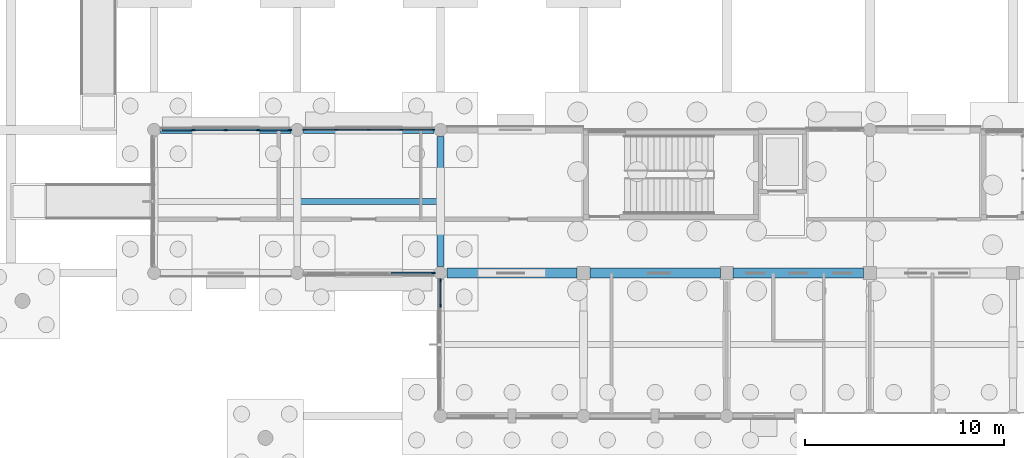
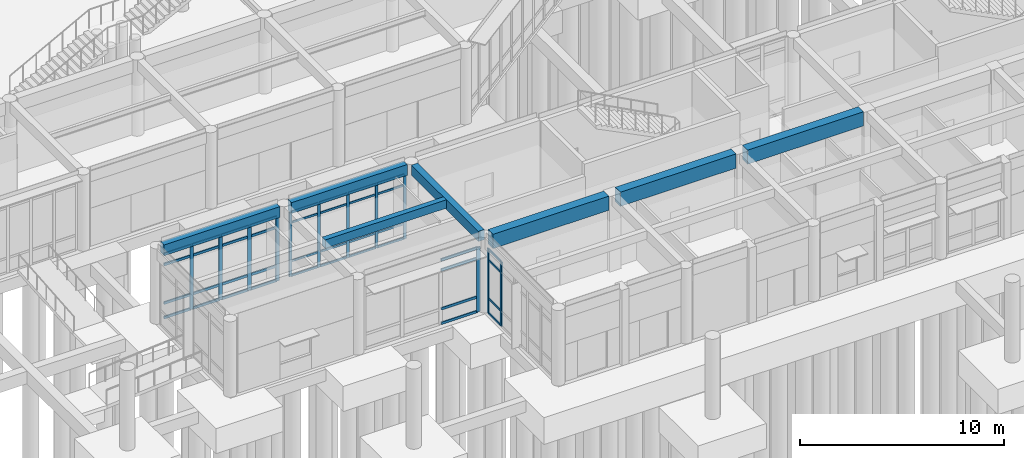
# One storey, part 13 of 103: 52 members, 7 beams, 4 elements without a shape of their own.
"""IFC4 building model written with IfcOpenShell, lengths in metres."""

from ifc_helpers import new_model, si_unit, direction, frame, origin, origin_2d, place, context, subcontext, project, spatial, rectangle, extrude, material, layer, layer_set, material_profile, profile_set, type_object, element, aggregate, save


model = new_model("IFC4")

# Units and contexts
model_context = context("Model", 3, precision=1e-05, world=origin(), true_north=direction((0.0, 1.0)))
body_context = subcontext(model_context, "Body", "Model", "MODEL_VIEW")
ifc_project = project(units=[si_unit("LENGTHUNIT", "METRE"), si_unit("AREAUNIT", "SQUARE_METRE"), si_unit("VOLUMEUNIT", "CUBIC_METRE"), si_unit("PLANEANGLEUNIT", "RADIAN"), si_unit("MASSUNIT", "GRAM", prefix="KILO")], contexts=[model_context])

# Site, building, storey
site_placement = place(None, origin())
site = spatial("IfcSite", under=ifc_project, at=site_placement, CompositionType="ELEMENT")
building_placement = place(site_placement, origin())
building = spatial("IfcBuilding", under=site, at=building_placement, Name="Namkhue Oval Health Centre", CompositionType="ELEMENT")
storey_placement = place(building_placement, origin())
storey = spatial("IfcBuildingStorey", under=building, at=storey_placement, Name="L00", CompositionType="ELEMENT", Elevation=0.0)

# Curtain wall, members
ifc_material_1 = material(Name="Anodised aluminium EN AW-6063 T6", Category="aluminium")
ifc_layer_1 = layer(ifc_material_1, 0.159912109375)
ifc_layer_set_1 = layer_set([ifc_layer_1], Name="Anodised aluminium EN AW-6063 T6")
curtain_wall_type_1 = type_object("IfcCurtainWallType", Name="UNITISED CURTAIN WALL M1500", PredefinedType="NOTDEFINED", material=ifc_layer_set_1)
curtain_wall_1_placement = place(storey_placement, origin())
curtain_wall_1 = element("IfcCurtainWall", 1, at=curtain_wall_1_placement, inside=storey, type_object=curtain_wall_type_1, Name="Volume V4 L00 Unitised Curtain Wall 141", PredefinedType="NOTDEFINED")
ifc_material_profile_1 = material_profile(ifc_material_1, rectangle(XDim=0.06494140625, YDim=0.159912109375, at=origin_2d()), Name="ALU 65x160")
ifc_profile_set_1 = profile_set([ifc_material_profile_1], Name="Anodised aluminium EN AW-6063 T6")
member_type_1 = type_object("IfcMemberType", Name="CURTAIN WALL MULLION 65X160", PredefinedType="MULLION", material=ifc_profile_set_1)
member_1_placement = place(storey_placement, frame((50.032470703125, 28.800048828125, 0.0), z_axis=(0.0, 0.0, 1.0), x_axis=(0.0, -1.0, 0.0)))
member_1 = element("IfcMember", 2, at=member_1_placement, type_object=member_type_1, Name="CW-03 mullion 1", PredefinedType="MULLION", context=body_context, shape_type="SweptSolid", body=[
    extrude(rectangle(XDim=0.06494140625, YDim=0.159912109375, at=origin_2d()), origin(), (0.0, 0.0, 1.0), 3.860107421875),
])
member_2_placement = place(storey_placement, frame((48.4326171875, 28.800048828125, 0.0), z_axis=(0.0, 0.0, 1.0), x_axis=(0.0, -1.0, 0.0)))
member_2 = element("IfcMember", 3, at=member_2_placement, type_object=member_type_1, Name="CW-03 mullion 2", PredefinedType="MULLION", context=body_context, shape_type="SweptSolid", body=[
    extrude(rectangle(XDim=0.06494140625, YDim=0.159912109375, at=origin_2d()), origin(), (0.0, 0.0, 1.0), 3.860107421875),
])
member_3_placement = place(storey_placement, frame((46.800048828125, 28.800048828125, 0.0), z_axis=(0.0, 0.0, 1.0), x_axis=(0.0, -1.0, 0.0)))
member_3 = element("IfcMember", 4, at=member_3_placement, type_object=member_type_1, Name="CW-03 mullion 3", PredefinedType="MULLION", context=body_context, shape_type="SweptSolid", body=[
    extrude(rectangle(XDim=0.06494140625, YDim=0.159912109375, at=origin_2d()), origin(), (0.0, 0.0, 1.0), 3.860107421875),
])
member_4_placement = place(storey_placement, frame((45.16748046875, 28.800048828125, 0.0), z_axis=(0.0, 0.0, 1.0), x_axis=(0.0, -1.0, 0.0)))
member_4 = element("IfcMember", 5, at=member_4_placement, type_object=member_type_1, Name="CW-03 mullion 4", PredefinedType="MULLION", context=body_context, shape_type="SweptSolid", body=[
    extrude(rectangle(XDim=0.06494140625, YDim=0.159912109375, at=origin_2d()), origin(), (0.0, 0.0, 1.0), 3.860107421875),
])
member_5_placement = place(storey_placement, frame((43.5673828125, 28.800048828125, 0.0), z_axis=(0.0, 0.0, 1.0), x_axis=(0.0, -1.0, 0.0)))
member_5 = element("IfcMember", 6, at=member_5_placement, type_object=member_type_1, Name="CW-03 mullion 5", PredefinedType="MULLION", context=body_context, shape_type="SweptSolid", body=[
    extrude(rectangle(XDim=0.06494140625, YDim=0.159912109375, at=origin_2d()), origin(), (0.0, 0.0, 1.0), 3.860107421875),
])

ifc_layer_2 = layer(ifc_material_1, 0.159912109375)
ifc_layer_set_2 = layer_set([ifc_layer_2], Name="Anodised aluminium EN AW-6063 T6")
curtain_wall_type_2 = type_object("IfcCurtainWallType", Name="UNITISED CURTAIN WALL M1200", PredefinedType="NOTDEFINED", material=ifc_layer_set_2)
curtain_wall_2_placement = place(storey_placement, origin())
curtain_wall_2 = element("IfcCurtainWall", 7, at=curtain_wall_2_placement, inside=storey, type_object=curtain_wall_type_2, Name="Volume V4 L00 Unitised Curtain Wall 145", PredefinedType="NOTDEFINED")
member_6_placement = place(storey_placement, frame((50.39990234375, 21.232421875, 0.0), z_axis=(0.0, 0.0, 1.0), x_axis=(1.0, 0.0, 0.0)))
member_6 = element("IfcMember", 8, at=member_6_placement, type_object=member_type_1, Name="CW-01 mullion 1", PredefinedType="MULLION", context=body_context, shape_type="SweptSolid", body=[
    extrude(rectangle(XDim=0.06494140625, YDim=0.159912109375, at=origin_2d()), origin(), (0.0, 0.0, 1.0), 3.860107421875),
])
member_7_placement = place(storey_placement, frame((50.39990234375, 19.958984375, 0.0), z_axis=(0.0, 0.0, 1.0), x_axis=(1.0, 0.0, 0.0)))
member_7 = element("IfcMember", 9, at=member_7_placement, type_object=member_type_1, Name="CW-01 mullion 2", PredefinedType="MULLION", context=body_context, shape_type="SweptSolid", body=[
    extrude(rectangle(XDim=0.06494140625, YDim=0.159912109375, at=origin_2d()), origin(), (0.0, 0.0, 1.0), 3.860107421875),
])

ifc_layer_3 = layer(ifc_material_1, 0.159912109375)
ifc_layer_set_3 = layer_set([ifc_layer_3], Name="Anodised aluminium EN AW-6063 T6")
curtain_wall_type_3 = type_object("IfcCurtainWallType", Name="UNITISED CURTAIN WALL M1600", PredefinedType="NOTDEFINED", material=ifc_layer_set_3)
curtain_wall_3_placement = place(storey_placement, origin())
curtain_wall_3 = element("IfcCurtainWall", 10, at=curtain_wall_3_placement, inside=storey, type_object=curtain_wall_type_3, Name="Volume V4 L00 Unitised Curtain Wall 142", PredefinedType="NOTDEFINED")
ifc_material_profile_2 = material_profile(ifc_material_1, rectangle(XDim=0.074951171875, YDim=0.199951171875, at=origin_2d()), Name="ALU 75x200")
ifc_profile_set_2 = profile_set([ifc_material_profile_2], Name="Anodised aluminium EN AW-6063 T6")
member_type_2 = type_object("IfcMemberType", Name="CURTAIN WALL MULLION 75X200", PredefinedType="MULLION", material=ifc_profile_set_2)
member_8_placement = place(storey_placement, frame((42.827392578125, 28.800048828125, 0.0), z_axis=(0.0, 0.0, 1.0), x_axis=(0.0, -1.0, 0.0)))
member_8 = element("IfcMember", 11, at=member_8_placement, type_object=member_type_2, Name="CW-04 mullion 1", PredefinedType="MULLION", context=body_context, shape_type="SweptSolid", body=[
    extrude(rectangle(XDim=0.074951171875, YDim=0.199951171875, at=origin_2d()), origin(), (0.0, 0.0, 1.0), 3.860107421875),
])
member_9_placement = place(storey_placement, frame((41.232421875, 28.800048828125, 0.0), z_axis=(0.0, 0.0, 1.0), x_axis=(0.0, -1.0, 0.0)))
member_9 = element("IfcMember", 12, at=member_9_placement, type_object=member_type_2, Name="CW-04 mullion 2", PredefinedType="MULLION", context=body_context, shape_type="SweptSolid", body=[
    extrude(rectangle(XDim=0.074951171875, YDim=0.199951171875, at=origin_2d()), origin(), (0.0, 0.0, 1.0), 3.860107421875),
])
member_10_placement = place(storey_placement, frame((39.60009765625, 28.800048828125, 0.0), z_axis=(0.0, 0.0, 1.0), x_axis=(0.0, -1.0, 0.0)))
member_10 = element("IfcMember", 13, at=member_10_placement, type_object=member_type_2, Name="CW-04 mullion 3", PredefinedType="MULLION", context=body_context, shape_type="SweptSolid", body=[
    extrude(rectangle(XDim=0.074951171875, YDim=0.199951171875, at=origin_2d()), origin(), (0.0, 0.0, 1.0), 3.860107421875),
])
member_11_placement = place(storey_placement, frame((37.967529296875, 28.800048828125, 0.0), z_axis=(0.0, 0.0, 1.0), x_axis=(0.0, -1.0, 0.0)))
member_11 = element("IfcMember", 14, at=member_11_placement, type_object=member_type_2, Name="CW-04 mullion 4", PredefinedType="MULLION", context=body_context, shape_type="SweptSolid", body=[
    extrude(rectangle(XDim=0.074951171875, YDim=0.199951171875, at=origin_2d()), origin(), (0.0, 0.0, 1.0), 3.860107421875),
])

# Curtain wall, member
ifc_layer_4 = layer(ifc_material_1, 0.159912109375)
ifc_layer_set_4 = layer_set([ifc_layer_4], Name="Anodised aluminium EN AW-6063 T6")
curtain_wall_type_4 = type_object("IfcCurtainWallType", Name="UNITISED CURTAIN WALL M2000", PredefinedType="NOTDEFINED", material=ifc_layer_set_4)
curtain_wall_4_placement = place(storey_placement, origin())
curtain_wall_4 = element("IfcCurtainWall", 15, at=curtain_wall_4_placement, inside=storey, type_object=curtain_wall_type_4, Name="Volume V4 L00 Unitised Curtain Wall 144", PredefinedType="NOTDEFINED")
member_12_placement = place(storey_placement, frame((50.027587890625, 21.60009765625, 0.0), z_axis=(0.0, 0.0, 1.0), x_axis=(0.0, 1.0, 0.0)))
member_12 = element("IfcMember", 16, at=member_12_placement, type_object=member_type_2, Name="CW-06 mullion 4", PredefinedType="MULLION", context=body_context, shape_type="SweptSolid", body=[
    extrude(rectangle(XDim=0.074951171875, YDim=0.199951171875, at=origin_2d()), origin(), (0.0, 0.0, 1.0), 3.860107421875),
])

# Member
ifc_material_profile_3 = material_profile(ifc_material_1, rectangle(XDim=0.06494140625, YDim=0.1201171875, at=origin_2d()), Name="ALU 65x120")
ifc_profile_set_3 = profile_set([ifc_material_profile_3], Name="Anodised aluminium EN AW-6063 T6")
member_type_3 = type_object("IfcMemberType", Name="CURTAIN WALL TRANSOM 65X120", PredefinedType="USERDEFINED", material=ifc_profile_set_3)
member_13_placement = place(storey_placement, frame((50.0, 28.800048828125, 0.032470703125), z_axis=(-1.0, 0.0, 0.0), x_axis=(0.0, -1.0, 0.0)))
member_13 = element("IfcMember", 17, at=member_13_placement, type_object=member_type_3, Name="CW-03 transom 1.1", ObjectType="TRANSOM", PredefinedType="USERDEFINED", context=body_context, shape_type="SweptSolid", body=[
    extrude(rectangle(XDim=0.06494140625, YDim=0.1201171875, at=origin_2d()), origin(), (0.0, 0.0, 1.0), 1.534912109375),
])

member_14_placement = place(storey_placement, frame((50.0, 28.800048828125, 0.89990234375), z_axis=(-1.0, 0.0, 0.0), x_axis=(0.0, -1.0, 0.0)))
member_14 = element("IfcMember", 18, at=member_14_placement, type_object=member_type_3, Name="CW-03 transom 1.2", ObjectType="TRANSOM", PredefinedType="USERDEFINED", context=body_context, shape_type="SweptSolid", body=[
    extrude(rectangle(XDim=0.06494140625, YDim=0.1201171875, at=origin_2d()), origin(), (0.0, 0.0, 1.0), 1.534912109375),
])

member_15_placement = place(storey_placement, frame((50.0, 28.800048828125, 3.2099609375), z_axis=(-1.0, 0.0, 0.0), x_axis=(0.0, -1.0, 0.0)))
member_15 = element("IfcMember", 19, at=member_15_placement, type_object=member_type_3, Name="CW-03 transom 1.3", ObjectType="TRANSOM", PredefinedType="USERDEFINED", context=body_context, shape_type="SweptSolid", body=[
    extrude(rectangle(XDim=0.06494140625, YDim=0.1201171875, at=origin_2d()), origin(), (0.0, 0.0, 1.0), 1.534912109375),
])

member_16_placement = place(storey_placement, frame((50.0, 28.800048828125, 3.827392578125), z_axis=(-1.0, 0.0, 0.0), x_axis=(0.0, -1.0, 0.0)))
member_16 = element("IfcMember", 20, at=member_16_placement, type_object=member_type_3, Name="CW-03 transom 1.4", ObjectType="TRANSOM", PredefinedType="USERDEFINED", context=body_context, shape_type="SweptSolid", body=[
    extrude(rectangle(XDim=0.06494140625, YDim=0.1201171875, at=origin_2d()), origin(), (0.0, 0.0, 1.0), 1.534912109375),
])

member_17_placement = place(storey_placement, frame((48.39990234375, 28.800048828125, 0.032470703125), z_axis=(-1.0, 0.0, 0.0), x_axis=(0.0, -1.0, 0.0)))
member_17 = element("IfcMember", 21, at=member_17_placement, type_object=member_type_3, Name="CW-03 transom 2.1", ObjectType="TRANSOM", PredefinedType="USERDEFINED", context=body_context, shape_type="SweptSolid", body=[
    extrude(rectangle(XDim=0.06494140625, YDim=0.1201171875, at=origin_2d()), origin(), (0.0, 0.0, 1.0), 1.5673828125),
])

member_18_placement = place(storey_placement, frame((48.39990234375, 28.800048828125, 0.89990234375), z_axis=(-1.0, 0.0, 0.0), x_axis=(0.0, -1.0, 0.0)))
member_18 = element("IfcMember", 22, at=member_18_placement, type_object=member_type_3, Name="CW-03 transom 2.2", ObjectType="TRANSOM", PredefinedType="USERDEFINED", context=body_context, shape_type="SweptSolid", body=[
    extrude(rectangle(XDim=0.06494140625, YDim=0.1201171875, at=origin_2d()), origin(), (0.0, 0.0, 1.0), 1.5673828125),
])

member_19_placement = place(storey_placement, frame((48.39990234375, 28.800048828125, 3.2099609375), z_axis=(-1.0, 0.0, 0.0), x_axis=(0.0, -1.0, 0.0)))
member_19 = element("IfcMember", 23, at=member_19_placement, type_object=member_type_3, Name="CW-03 transom 2.3", ObjectType="TRANSOM", PredefinedType="USERDEFINED", context=body_context, shape_type="SweptSolid", body=[
    extrude(rectangle(XDim=0.06494140625, YDim=0.1201171875, at=origin_2d()), origin(), (0.0, 0.0, 1.0), 1.5673828125),
])

member_20_placement = place(storey_placement, frame((48.39990234375, 28.800048828125, 3.827392578125), z_axis=(-1.0, 0.0, 0.0), x_axis=(0.0, -1.0, 0.0)))
member_20 = element("IfcMember", 24, at=member_20_placement, type_object=member_type_3, Name="CW-03 transom 2.4", ObjectType="TRANSOM", PredefinedType="USERDEFINED", context=body_context, shape_type="SweptSolid", body=[
    extrude(rectangle(XDim=0.06494140625, YDim=0.1201171875, at=origin_2d()), origin(), (0.0, 0.0, 1.0), 1.5673828125),
])

member_21_placement = place(storey_placement, frame((46.767578125, 28.800048828125, 0.032470703125), z_axis=(-1.0, 0.0, 0.0), x_axis=(0.0, -1.0, 0.0)))
member_21 = element("IfcMember", 25, at=member_21_placement, type_object=member_type_3, Name="CW-03 transom 3.1", ObjectType="TRANSOM", PredefinedType="USERDEFINED", context=body_context, shape_type="SweptSolid", body=[
    extrude(rectangle(XDim=0.06494140625, YDim=0.1201171875, at=origin_2d()), origin(), (0.0, 0.0, 1.0), 1.567626953125),
])

member_22_placement = place(storey_placement, frame((46.767578125, 28.800048828125, 0.89990234375), z_axis=(-1.0, 0.0, 0.0), x_axis=(0.0, -1.0, 0.0)))
member_22 = element("IfcMember", 26, at=member_22_placement, type_object=member_type_3, Name="CW-03 transom 3.2", ObjectType="TRANSOM", PredefinedType="USERDEFINED", context=body_context, shape_type="SweptSolid", body=[
    extrude(rectangle(XDim=0.06494140625, YDim=0.1201171875, at=origin_2d()), origin(), (0.0, 0.0, 1.0), 1.567626953125),
])

member_23_placement = place(storey_placement, frame((46.767578125, 28.800048828125, 3.2099609375), z_axis=(-1.0, 0.0, 0.0), x_axis=(0.0, -1.0, 0.0)))
member_23 = element("IfcMember", 27, at=member_23_placement, type_object=member_type_3, Name="CW-03 transom 3.3", ObjectType="TRANSOM", PredefinedType="USERDEFINED", context=body_context, shape_type="SweptSolid", body=[
    extrude(rectangle(XDim=0.06494140625, YDim=0.1201171875, at=origin_2d()), origin(), (0.0, 0.0, 1.0), 1.567626953125),
])

member_24_placement = place(storey_placement, frame((46.767578125, 28.800048828125, 3.827392578125), z_axis=(-1.0, 0.0, 0.0), x_axis=(0.0, -1.0, 0.0)))
member_24 = element("IfcMember", 28, at=member_24_placement, type_object=member_type_3, Name="CW-03 transom 3.4", ObjectType="TRANSOM", PredefinedType="USERDEFINED", context=body_context, shape_type="SweptSolid", body=[
    extrude(rectangle(XDim=0.06494140625, YDim=0.1201171875, at=origin_2d()), origin(), (0.0, 0.0, 1.0), 1.567626953125),
])

member_25_placement = place(storey_placement, frame((45.135009765625, 28.800048828125, 0.032470703125), z_axis=(-1.0, 0.0, 0.0), x_axis=(0.0, -1.0, 0.0)))
member_25 = element("IfcMember", 29, at=member_25_placement, type_object=member_type_3, Name="CW-03 transom 4.1", ObjectType="TRANSOM", PredefinedType="USERDEFINED", context=body_context, shape_type="SweptSolid", body=[
    extrude(rectangle(XDim=0.06494140625, YDim=0.1201171875, at=origin_2d()), origin(), (0.0, 0.0, 1.0), 1.534912109375),
])

member_26_placement = place(storey_placement, frame((45.135009765625, 28.800048828125, 0.89990234375), z_axis=(-1.0, 0.0, 0.0), x_axis=(0.0, -1.0, 0.0)))
member_26 = element("IfcMember", 30, at=member_26_placement, type_object=member_type_3, Name="CW-03 transom 4.2", ObjectType="TRANSOM", PredefinedType="USERDEFINED", context=body_context, shape_type="SweptSolid", body=[
    extrude(rectangle(XDim=0.06494140625, YDim=0.1201171875, at=origin_2d()), origin(), (0.0, 0.0, 1.0), 1.534912109375),
])

member_27_placement = place(storey_placement, frame((45.135009765625, 28.800048828125, 3.2099609375), z_axis=(-1.0, 0.0, 0.0), x_axis=(0.0, -1.0, 0.0)))
member_27 = element("IfcMember", 31, at=member_27_placement, type_object=member_type_3, Name="CW-03 transom 4.3", ObjectType="TRANSOM", PredefinedType="USERDEFINED", context=body_context, shape_type="SweptSolid", body=[
    extrude(rectangle(XDim=0.06494140625, YDim=0.1201171875, at=origin_2d()), origin(), (0.0, 0.0, 1.0), 1.534912109375),
])

member_28_placement = place(storey_placement, frame((45.135009765625, 28.800048828125, 3.827392578125), z_axis=(-1.0, 0.0, 0.0), x_axis=(0.0, -1.0, 0.0)))
member_28 = element("IfcMember", 32, at=member_28_placement, type_object=member_type_3, Name="CW-03 transom 4.4", ObjectType="TRANSOM", PredefinedType="USERDEFINED", context=body_context, shape_type="SweptSolid", body=[
    extrude(rectangle(XDim=0.06494140625, YDim=0.1201171875, at=origin_2d()), origin(), (0.0, 0.0, 1.0), 1.534912109375),
])

aggregate(curtain_wall_1, [member_1, member_2, member_3, member_4, member_5, member_13, member_14, member_15, member_16, member_17, member_18, member_19, member_20, member_21, member_22, member_23, member_24, member_25, member_26, member_27, member_28])

member_29_placement = place(storey_placement, frame((50.39990234375, 21.199951171875, 0.032470703125), z_axis=(0.0, -1.0, 0.0), x_axis=(1.0, 0.0, 0.0)))
member_29 = element("IfcMember", 33, at=member_29_placement, type_object=member_type_3, Name="CW-01 transom 1.1", ObjectType="TRANSOM", PredefinedType="USERDEFINED", context=body_context, shape_type="SweptSolid", body=[
    extrude(rectangle(XDim=0.06494140625, YDim=0.1201171875, at=origin_2d()), origin(), (0.0, 0.0, 1.0), 1.20849609375),
])

member_30_placement = place(storey_placement, frame((50.39990234375, 21.199951171875, 0.89990234375), z_axis=(0.0, -1.0, 0.0), x_axis=(1.0, 0.0, 0.0)))
member_30 = element("IfcMember", 34, at=member_30_placement, type_object=member_type_3, Name="CW-01 transom 1.2", ObjectType="TRANSOM", PredefinedType="USERDEFINED", context=body_context, shape_type="SweptSolid", body=[
    extrude(rectangle(XDim=0.06494140625, YDim=0.1201171875, at=origin_2d()), origin(), (0.0, 0.0, 1.0), 1.20849609375),
])

member_31_placement = place(storey_placement, frame((50.39990234375, 21.199951171875, 3.2099609375), z_axis=(0.0, -1.0, 0.0), x_axis=(1.0, 0.0, 0.0)))
member_31 = element("IfcMember", 35, at=member_31_placement, type_object=member_type_3, Name="CW-01 transom 1.3", ObjectType="TRANSOM", PredefinedType="USERDEFINED", context=body_context, shape_type="SweptSolid", body=[
    extrude(rectangle(XDim=0.06494140625, YDim=0.1201171875, at=origin_2d()), origin(), (0.0, 0.0, 1.0), 1.20849609375),
])

member_32_placement = place(storey_placement, frame((50.39990234375, 21.199951171875, 3.827392578125), z_axis=(0.0, -1.0, 0.0), x_axis=(1.0, 0.0, 0.0)))
member_32 = element("IfcMember", 36, at=member_32_placement, type_object=member_type_3, Name="CW-01 transom 1.4", ObjectType="TRANSOM", PredefinedType="USERDEFINED", context=body_context, shape_type="SweptSolid", body=[
    extrude(rectangle(XDim=0.06494140625, YDim=0.1201171875, at=origin_2d()), origin(), (0.0, 0.0, 1.0), 1.20849609375),
])

aggregate(curtain_wall_2, [member_6, member_7, member_29, member_30, member_31, member_32])

ifc_material_profile_4 = material_profile(ifc_material_1, rectangle(XDim=0.074951171875, YDim=0.14990234375, at=origin_2d()), Name="ALU 75x150")
ifc_profile_set_4 = profile_set([ifc_material_profile_4], Name="Anodised aluminium EN AW-6063 T6")
member_type_4 = type_object("IfcMemberType", Name="CURTAIN WALL TRANSOM 75X150", PredefinedType="USERDEFINED", material=ifc_profile_set_4)
member_33_placement = place(storey_placement, frame((42.7900390625, 28.800048828125, 0.03759765625), z_axis=(-1.0, 0.0, 0.0), x_axis=(0.0, -1.0, 0.0)))
member_33 = element("IfcMember", 37, at=member_33_placement, type_object=member_type_4, Name="CW-04 transom 1.1", ObjectType="TRANSOM", PredefinedType="USERDEFINED", context=body_context, shape_type="SweptSolid", body=[
    extrude(rectangle(XDim=0.074951171875, YDim=0.14990234375, at=origin_2d()), origin(), (0.0, 0.0, 1.0), 1.52001953125),
])

member_34_placement = place(storey_placement, frame((42.7900390625, 28.800048828125, 0.89990234375), z_axis=(-1.0, 0.0, 0.0), x_axis=(0.0, -1.0, 0.0)))
member_34 = element("IfcMember", 38, at=member_34_placement, type_object=member_type_4, Name="CW-04 transom 1.2", ObjectType="TRANSOM", PredefinedType="USERDEFINED", context=body_context, shape_type="SweptSolid", body=[
    extrude(rectangle(XDim=0.074951171875, YDim=0.14990234375, at=origin_2d()), origin(), (0.0, 0.0, 1.0), 1.52001953125),
])

member_35_placement = place(storey_placement, frame((42.7900390625, 28.800048828125, 3.2099609375), z_axis=(-1.0, 0.0, 0.0), x_axis=(0.0, -1.0, 0.0)))
member_35 = element("IfcMember", 39, at=member_35_placement, type_object=member_type_4, Name="CW-04 transom 1.3", ObjectType="TRANSOM", PredefinedType="USERDEFINED", context=body_context, shape_type="SweptSolid", body=[
    extrude(rectangle(XDim=0.074951171875, YDim=0.14990234375, at=origin_2d()), origin(), (0.0, 0.0, 1.0), 1.52001953125),
])

member_36_placement = place(storey_placement, frame((42.7900390625, 28.800048828125, 3.822509765625), z_axis=(-1.0, 0.0, 0.0), x_axis=(0.0, -1.0, 0.0)))
member_36 = element("IfcMember", 40, at=member_36_placement, type_object=member_type_4, Name="CW-04 transom 1.4", ObjectType="TRANSOM", PredefinedType="USERDEFINED", context=body_context, shape_type="SweptSolid", body=[
    extrude(rectangle(XDim=0.074951171875, YDim=0.14990234375, at=origin_2d()), origin(), (0.0, 0.0, 1.0), 1.52001953125),
])

member_37_placement = place(storey_placement, frame((41.195068359375, 28.800048828125, 0.03759765625), z_axis=(-1.0, 0.0, 0.0), x_axis=(0.0, -1.0, 0.0)))
member_37 = element("IfcMember", 41, at=member_37_placement, type_object=member_type_4, Name="CW-04 transom 2.1", ObjectType="TRANSOM", PredefinedType="USERDEFINED", context=body_context, shape_type="SweptSolid", body=[
    extrude(rectangle(XDim=0.074951171875, YDim=0.14990234375, at=origin_2d()), origin(), (0.0, 0.0, 1.0), 1.5576171875),
])

member_38_placement = place(storey_placement, frame((41.195068359375, 28.800048828125, 0.89990234375), z_axis=(-1.0, 0.0, 0.0), x_axis=(0.0, -1.0, 0.0)))
member_38 = element("IfcMember", 42, at=member_38_placement, type_object=member_type_4, Name="CW-04 transom 2.2", ObjectType="TRANSOM", PredefinedType="USERDEFINED", context=body_context, shape_type="SweptSolid", body=[
    extrude(rectangle(XDim=0.074951171875, YDim=0.14990234375, at=origin_2d()), origin(), (0.0, 0.0, 1.0), 1.5576171875),
])

member_39_placement = place(storey_placement, frame((41.195068359375, 28.800048828125, 3.2099609375), z_axis=(-1.0, 0.0, 0.0), x_axis=(0.0, -1.0, 0.0)))
member_39 = element("IfcMember", 43, at=member_39_placement, type_object=member_type_4, Name="CW-04 transom 2.3", ObjectType="TRANSOM", PredefinedType="USERDEFINED", context=body_context, shape_type="SweptSolid", body=[
    extrude(rectangle(XDim=0.074951171875, YDim=0.14990234375, at=origin_2d()), origin(), (0.0, 0.0, 1.0), 1.5576171875),
])

member_40_placement = place(storey_placement, frame((41.195068359375, 28.800048828125, 3.822509765625), z_axis=(-1.0, 0.0, 0.0), x_axis=(0.0, -1.0, 0.0)))
member_40 = element("IfcMember", 44, at=member_40_placement, type_object=member_type_4, Name="CW-04 transom 2.4", ObjectType="TRANSOM", PredefinedType="USERDEFINED", context=body_context, shape_type="SweptSolid", body=[
    extrude(rectangle(XDim=0.074951171875, YDim=0.14990234375, at=origin_2d()), origin(), (0.0, 0.0, 1.0), 1.5576171875),
])

member_41_placement = place(storey_placement, frame((39.5625, 28.800048828125, 0.03759765625), z_axis=(-1.0, 0.0, 0.0), x_axis=(0.0, -1.0, 0.0)))
member_41 = element("IfcMember", 45, at=member_41_placement, type_object=member_type_4, Name="CW-04 transom 3.1", ObjectType="TRANSOM", PredefinedType="USERDEFINED", context=body_context, shape_type="SweptSolid", body=[
    extrude(rectangle(XDim=0.074951171875, YDim=0.14990234375, at=origin_2d()), origin(), (0.0, 0.0, 1.0), 1.5576171875),
])

member_42_placement = place(storey_placement, frame((39.5625, 28.800048828125, 0.89990234375), z_axis=(-1.0, 0.0, 0.0), x_axis=(0.0, -1.0, 0.0)))
member_42 = element("IfcMember", 46, at=member_42_placement, type_object=member_type_4, Name="CW-04 transom 3.2", ObjectType="TRANSOM", PredefinedType="USERDEFINED", context=body_context, shape_type="SweptSolid", body=[
    extrude(rectangle(XDim=0.074951171875, YDim=0.14990234375, at=origin_2d()), origin(), (0.0, 0.0, 1.0), 1.5576171875),
])

member_43_placement = place(storey_placement, frame((39.5625, 28.800048828125, 3.2099609375), z_axis=(-1.0, 0.0, 0.0), x_axis=(0.0, -1.0, 0.0)))
member_43 = element("IfcMember", 47, at=member_43_placement, type_object=member_type_4, Name="CW-04 transom 3.3", ObjectType="TRANSOM", PredefinedType="USERDEFINED", context=body_context, shape_type="SweptSolid", body=[
    extrude(rectangle(XDim=0.074951171875, YDim=0.14990234375, at=origin_2d()), origin(), (0.0, 0.0, 1.0), 1.5576171875),
])

member_44_placement = place(storey_placement, frame((39.5625, 28.800048828125, 3.822509765625), z_axis=(-1.0, 0.0, 0.0), x_axis=(0.0, -1.0, 0.0)))
member_44 = element("IfcMember", 48, at=member_44_placement, type_object=member_type_4, Name="CW-04 transom 3.4", ObjectType="TRANSOM", PredefinedType="USERDEFINED", context=body_context, shape_type="SweptSolid", body=[
    extrude(rectangle(XDim=0.074951171875, YDim=0.14990234375, at=origin_2d()), origin(), (0.0, 0.0, 1.0), 1.5576171875),
])

member_45_placement = place(storey_placement, frame((37.929931640625, 28.800048828125, 0.03759765625), z_axis=(-1.0, 0.0, 0.0), x_axis=(0.0, -1.0, 0.0)))
member_45 = element("IfcMember", 49, at=member_45_placement, type_object=member_type_4, Name="CW-04 transom 4.1", ObjectType="TRANSOM", PredefinedType="USERDEFINED", context=body_context, shape_type="SweptSolid", body=[
    extrude(rectangle(XDim=0.074951171875, YDim=0.14990234375, at=origin_2d()), origin(), (0.0, 0.0, 1.0), 1.52001953125),
])

member_46_placement = place(storey_placement, frame((37.929931640625, 28.800048828125, 0.89990234375), z_axis=(-1.0, 0.0, 0.0), x_axis=(0.0, -1.0, 0.0)))
member_46 = element("IfcMember", 50, at=member_46_placement, type_object=member_type_4, Name="CW-04 transom 4.2", ObjectType="TRANSOM", PredefinedType="USERDEFINED", context=body_context, shape_type="SweptSolid", body=[
    extrude(rectangle(XDim=0.074951171875, YDim=0.14990234375, at=origin_2d()), origin(), (0.0, 0.0, 1.0), 1.52001953125),
])

member_47_placement = place(storey_placement, frame((37.929931640625, 28.800048828125, 3.2099609375), z_axis=(-1.0, 0.0, 0.0), x_axis=(0.0, -1.0, 0.0)))
member_47 = element("IfcMember", 51, at=member_47_placement, type_object=member_type_4, Name="CW-04 transom 4.3", ObjectType="TRANSOM", PredefinedType="USERDEFINED", context=body_context, shape_type="SweptSolid", body=[
    extrude(rectangle(XDim=0.074951171875, YDim=0.14990234375, at=origin_2d()), origin(), (0.0, 0.0, 1.0), 1.52001953125),
])

member_48_placement = place(storey_placement, frame((37.929931640625, 28.800048828125, 3.822509765625), z_axis=(-1.0, 0.0, 0.0), x_axis=(0.0, -1.0, 0.0)))
member_48 = element("IfcMember", 52, at=member_48_placement, type_object=member_type_4, Name="CW-04 transom 4.4", ObjectType="TRANSOM", PredefinedType="USERDEFINED", context=body_context, shape_type="SweptSolid", body=[
    extrude(rectangle(XDim=0.074951171875, YDim=0.14990234375, at=origin_2d()), origin(), (0.0, 0.0, 1.0), 1.52001953125),
])

aggregate(curtain_wall_3, [member_8, member_9, member_10, member_11, member_33, member_34, member_35, member_36, member_37, member_38, member_39, member_40, member_41, member_42, member_43, member_44, member_45, member_46, member_47, member_48])

member_49_placement = place(storey_placement, frame((47.92578125, 21.60009765625, 0.03759765625), z_axis=(1.0, 0.0, 0.0), x_axis=(0.0, 1.0, 0.0)))
member_49 = element("IfcMember", 53, at=member_49_placement, type_object=member_type_4, Name="CW-06 transom 3.1", ObjectType="TRANSOM", PredefinedType="USERDEFINED", context=body_context, shape_type="SweptSolid", body=[
    extrude(rectangle(XDim=0.074951171875, YDim=0.14990234375, at=origin_2d()), origin(), (0.0, 0.0, 1.0), 2.064208984375),
])

member_50_placement = place(storey_placement, frame((47.92578125, 21.60009765625, 0.89990234375), z_axis=(1.0, 0.0, 0.0), x_axis=(0.0, 1.0, 0.0)))
member_50 = element("IfcMember", 54, at=member_50_placement, type_object=member_type_4, Name="CW-06 transom 3.2", ObjectType="TRANSOM", PredefinedType="USERDEFINED", context=body_context, shape_type="SweptSolid", body=[
    extrude(rectangle(XDim=0.074951171875, YDim=0.14990234375, at=origin_2d()), origin(), (0.0, 0.0, 1.0), 2.064208984375),
])

member_51_placement = place(storey_placement, frame((47.92578125, 21.60009765625, 3.2099609375), z_axis=(1.0, 0.0, 0.0), x_axis=(0.0, 1.0, 0.0)))
member_51 = element("IfcMember", 55, at=member_51_placement, type_object=member_type_4, Name="CW-06 transom 3.3", ObjectType="TRANSOM", PredefinedType="USERDEFINED", context=body_context, shape_type="SweptSolid", body=[
    extrude(rectangle(XDim=0.074951171875, YDim=0.14990234375, at=origin_2d()), origin(), (0.0, 0.0, 1.0), 2.064208984375),
])

member_52_placement = place(storey_placement, frame((47.92578125, 21.60009765625, 3.822509765625), z_axis=(1.0, 0.0, 0.0), x_axis=(0.0, 1.0, 0.0)))
member_52 = element("IfcMember", 56, at=member_52_placement, type_object=member_type_4, Name="CW-06 transom 3.4", ObjectType="TRANSOM", PredefinedType="USERDEFINED", context=body_context, shape_type="SweptSolid", body=[
    extrude(rectangle(XDim=0.074951171875, YDim=0.14990234375, at=origin_2d()), origin(), (0.0, 0.0, 1.0), 2.064208984375),
])

aggregate(curtain_wall_4, [member_12, member_49, member_50, member_51, member_52])

# Beams
ifc_material_2 = material(Name="Reinforced concrete C30/37 (TCVN B35)", Category="concrete")
ifc_material_profile_5 = material_profile(ifc_material_2, rectangle(XDim=0.35009765625, YDim=0.60009765625, at=origin_2d()), Name="RC 350x600")
ifc_profile_set_5 = profile_set([ifc_material_profile_5], Name="Reinforced concrete C30/37 (TCVN B35)")
beam_type_1 = type_object("IfcBeamType", Name="FLOOR BEAM RC 350X600", PredefinedType="BEAM", material=ifc_profile_set_5)
beam_1_placement = place(storey_placement, frame((50.39990234375, 21.925048828125, 4.2099609375), z_axis=(0.0, 1.0, 0.0), x_axis=(-1.0, 0.0, 0.0)))
element("IfcBeam", 57, at=beam_1_placement, inside=storey, type_object=beam_type_1, Name="Volume V4 L01 Beam 8/D-E", PredefinedType="BEAM", context=body_context, shape_type="SweptSolid", body=[
    extrude(rectangle(XDim=0.35009765625, YDim=0.60009765625, at=origin_2d()), origin(), (0.0, 0.0, 1.0), 6.550048828125),
])
ifc_material_3 = material(Name="Reinforced concrete C35/45 (TCVN B40)", Category="concrete")
ifc_material_profile_6 = material_profile(ifc_material_3, rectangle(XDim=0.35009765625, YDim=0.64990234375, at=origin_2d()), Name="RC 350x650")
ifc_profile_set_6 = profile_set([ifc_material_profile_6], Name="Reinforced concrete C35/45 (TCVN B40)")
beam_type_2 = type_object("IfcBeamType", Name="PERIMETER SPANDREL BEAM 350X650", PredefinedType="SPANDREL", material=ifc_profile_set_6)
for number, where, z_axis, x_axis, name in (
    (58, (36.324951171875, 28.800048828125, 4.18505859375), (1.0, 0.0, 0.0), (0.0, 1.0, 0.0), "Volume V4 L01 Girder E/6-7"),
    (59, (43.52490234375, 28.800048828125, 4.18505859375), (1.0, 0.0, 0.0), (0.0, 1.0, 0.0), "Volume V4 L01 Girder E/7-8"),
):
    element("IfcBeam", number, at=place(storey_placement, frame(where, z_axis=z_axis, x_axis=x_axis)), inside=storey, type_object=beam_type_2, Name=name, PredefinedType="SPANDREL", context=body_context, shape_type="SweptSolid", body=[
        extrude(rectangle(XDim=0.35009765625, YDim=0.64990234375, at=origin_2d()), origin(), (0.0, 0.0, 1.0), 6.550048828125),
    ])
ifc_material_profile_7 = material_profile(ifc_material_3, rectangle(XDim=0.5, YDim=0.85009765625, at=origin_2d()), Name="RC 500x850")
ifc_profile_set_7 = profile_set([ifc_material_profile_7], Name="Reinforced concrete C35/45 (TCVN B40)")
beam_type_3 = type_object("IfcBeamType", Name="PRIMARY GIRDER RC 500X850", PredefinedType="USERDEFINED", material=ifc_profile_set_7)
beam_2_placement = place(storey_placement, frame((50.72509765625, 21.60009765625, 4.0849609375), z_axis=(1.0, 0.0, 0.0), x_axis=(0.0, 1.0, 0.0)))
element("IfcBeam", 60, at=beam_2_placement, inside=storey, type_object=beam_type_3, Name="Volume V4 L01 Girder D/8-9", ObjectType="GIRDER", PredefinedType="USERDEFINED", context=body_context, shape_type="SweptSolid", body=[
    extrude(rectangle(XDim=0.5, YDim=0.85009765625, at=origin_2d()), origin(), (0.0, 0.0, 1.0), 6.5498046875),
])
for number, where, z_axis, x_axis, name in (
    (61, (57.925048828125, 21.60009765625, 4.0849609375), (1.0, 0.0, 0.0), (0.0, 1.0, 0.0), "Volume V4 L01 Girder D/9-10"),
    (62, (65.125, 21.60009765625, 4.0849609375), (1.0, 0.0, 0.0), (0.0, 1.0, 0.0), "Volume V4 L01 Girder D/10-11"),
):
    element("IfcBeam", number, at=place(storey_placement, frame(where, z_axis=z_axis, x_axis=x_axis)), inside=storey, type_object=beam_type_3, Name=name, ObjectType="GIRDER", PredefinedType="USERDEFINED", context=body_context, shape_type="SweptSolid", body=[
        extrude(rectangle(XDim=0.5, YDim=0.85009765625, at=origin_2d()), origin(), (0.0, 0.0, 1.0), 6.550048828125),
    ])
ifc_material_profile_8 = material_profile(ifc_material_2, rectangle(XDim=0.300048828125, YDim=0.5, at=origin_2d()), Name="RC 300x500")
ifc_profile_set_8 = profile_set([ifc_material_profile_8], Name="Reinforced concrete C30/37 (TCVN B35)")
beam_type_4 = type_object("IfcBeamType", Name="SECONDARY JOIST RC 300X500", PredefinedType="JOIST", material=ifc_profile_set_8)
beam_3_placement = place(storey_placement, frame((43.375, 25.199951171875, 4.260009765625), z_axis=(1.0, 0.0, 0.0), x_axis=(0.0, 1.0, 0.0)))
element("IfcBeam", 63, at=beam_3_placement, inside=storey, type_object=beam_type_4, Name="Volume V4 L01 Secondary Joist 7-8", PredefinedType="JOIST", context=body_context, shape_type="SweptSolid", body=[
    extrude(rectangle(XDim=0.300048828125, YDim=0.5, at=origin_2d()), origin(), (0.0, 0.0, 1.0), 6.85009765625),
])

save(model, "model.ifc")
